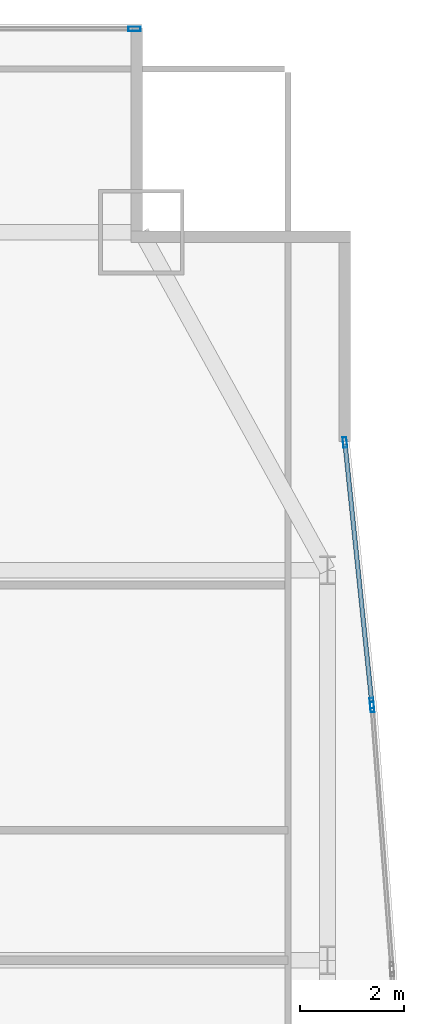
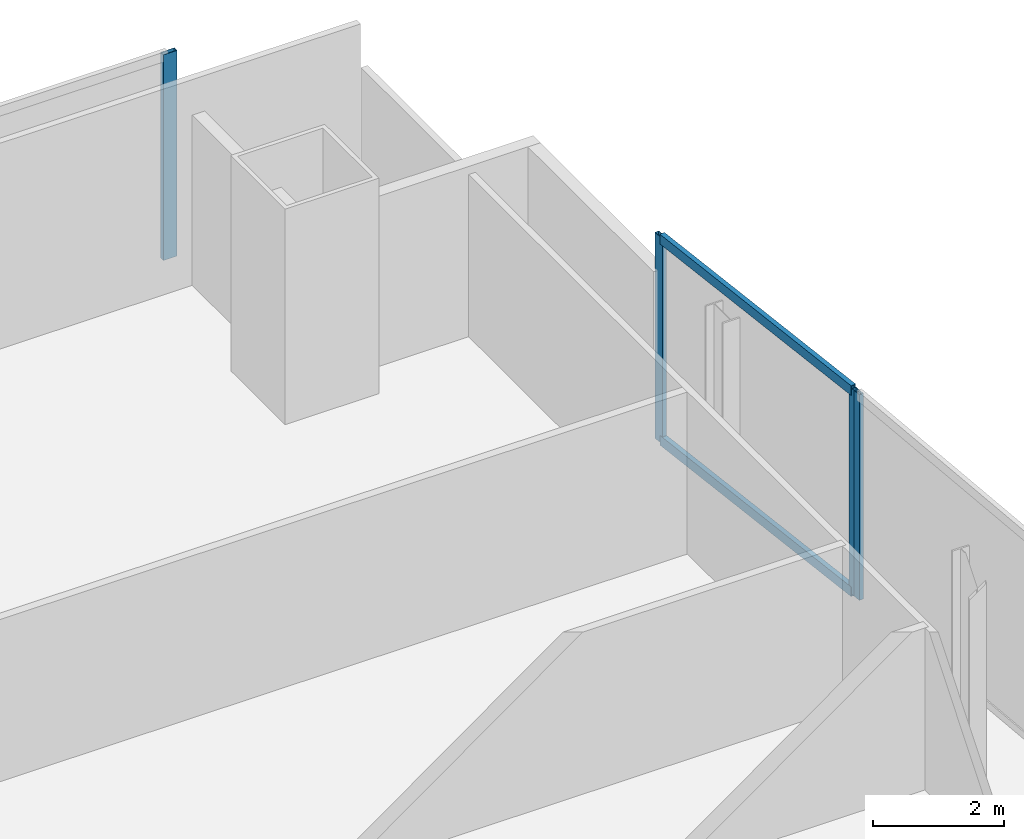
# One storey, part 24 of 32: 6 members, 3 elements without a shape of their own.
"""IFC4 building model written with IfcOpenShell, lengths in metres."""

from ifc_helpers import new_model, si_unit, direction, frame, origin, origin_2d, place, context, subcontext, project, spatial, hollow_rectangle, extrude, material, material_profile, profile_set, type_object, element, aggregate, save


model = new_model("IFC4")

# Units and contexts
model_context = context("Model", 3, precision=1e-05, world=origin(), true_north=direction((0.0, 1.0)))
body_context = subcontext(model_context, "Body", "Model", "MODEL_VIEW")
ifc_project = project(units=[si_unit("LENGTHUNIT", "METRE"), si_unit("AREAUNIT", "SQUARE_METRE"), si_unit("VOLUMEUNIT", "CUBIC_METRE"), si_unit("PLANEANGLEUNIT", "RADIAN"), si_unit("MASSUNIT", "GRAM", prefix="KILO")], contexts=[model_context])

# Site, building, storey
site_placement = place(None, origin())
site = spatial("IfcSite", under=ifc_project, at=site_placement, CompositionType="ELEMENT")
building_placement = place(site_placement, origin())
building = spatial("IfcBuilding", under=site, at=building_placement, Name="Khoronbel Lancet Exchange", CompositionType="ELEMENT")
storey_placement = place(building_placement, frame((0.0, 0.0, 29.800048828125)))
storey = spatial("IfcBuildingStorey", under=building, at=storey_placement, Name="L06", CompositionType="ELEMENT", Elevation=29.800048828125)

# Curtain wall, member
ifc_material_1 = material(Name="Low-E Solar Control Insulating Glass", Category="glass")
curtain_wall_type_1 = type_object("IfcCurtainWallType", Name="CW-1", PredefinedType="NOTDEFINED", material=ifc_material_1)
curtain_wall_1_placement = place(storey_placement, origin())
curtain_wall_1 = element("IfcCurtainWall", 1, at=curtain_wall_1_placement, inside=storey, type_object=curtain_wall_type_1, Name="Unitised curtain wall CW-L06-NEFLK", PredefinedType="NOTDEFINED")
ifc_material_2 = material(Name="Bronze-Anodised Aluminium 6063-T6", Category="aluminium")
ifc_material_profile_1 = material_profile(ifc_material_2, hollow_rectangle(XDim=0.0849609375, YDim=0.239990234375, WallThickness=0.006103515625, at=origin_2d()), Name="ALU MULLION 85x240")
ifc_profile_set_1 = profile_set([ifc_material_profile_1], Name="Bronze-Anodised Aluminium 6063-T6")
member_type_1 = type_object("IfcMemberType", Name="MEM-CWM1", PredefinedType="MULLION", material=ifc_profile_set_1)
member_1_placement = place(storey_placement, frame((67.91748046875, 53.610107421875, 0.0), z_axis=(0.0, 0.0, 1.0), x_axis=(0.0, -1.0, 0.0)))
member_1 = element("IfcMember", 2, at=member_1_placement, type_object=member_type_1, Name="CW1 mullion 1", PredefinedType="MULLION", context=body_context, shape_type="SweptSolid", body=[
    extrude(hollow_rectangle(XDim=0.0849609375, YDim=0.239990234375, WallThickness=0.006103515625, at=origin_2d()), origin(), (0.0, 0.0, 1.0), 3.820068359375),
])
aggregate(curtain_wall_1, [member_1])

# Curtain wall, members
curtain_wall_type_2 = type_object("IfcCurtainWallType", Name="CW-4", PredefinedType="NOTDEFINED", material=ifc_material_1)
curtain_wall_2_placement = place(storey_placement, origin())
curtain_wall_2 = element("IfcCurtainWall", 3, at=curtain_wall_2_placement, inside=storey, type_object=curtain_wall_type_2, Name="Unitised curtain wall CW-L06-E17", PredefinedType="NOTDEFINED")
ifc_material_profile_2 = material_profile(ifc_material_2, hollow_rectangle(XDim=0.074951171875, YDim=0.199951171875, WallThickness=0.0048828125, at=origin_2d()), Name="ALU MULLION 75x200")
ifc_profile_set_2 = profile_set([ifc_material_profile_2], Name="Bronze-Anodised Aluminium 6063-T6")
member_type_2 = type_object("IfcMemberType", Name="MEM-CWM2", PredefinedType="MULLION", material=ifc_profile_set_2)
member_2_placement = place(storey_placement, frame((71.9638671875, 45.658203125, 0.0), z_axis=(0.0, 0.0, 1.0), x_axis=(0.994709998998, 0.102723015403, 0.0)))
member_2 = element("IfcMember", 4, at=member_2_placement, type_object=member_type_2, Name="CW4 mullion 1", PredefinedType="MULLION", context=body_context, shape_type="SweptSolid", body=[
    extrude(hollow_rectangle(XDim=0.074951171875, YDim=0.199951171875, WallThickness=0.0048828125, at=origin_2d()), origin(), (0.0, 0.0, 1.0), 3.820068359375),
])
member_3_placement = place(storey_placement, frame((72.4814453125, 40.64599609375, 0.0), z_axis=(0.0, 0.0, 1.0), x_axis=(0.994709998998, 0.102723015403, 0.0)))
member_3 = element("IfcMember", 5, at=member_3_placement, type_object=member_type_2, Name="CW4 mullion 2", PredefinedType="MULLION", context=body_context, shape_type="SweptSolid", body=[
    extrude(hollow_rectangle(XDim=0.074951171875, YDim=0.199951171875, WallThickness=0.0048828125, at=origin_2d()), origin(), (0.0, 0.0, 1.0), 3.820068359375),
])

# Curtain wall, member
curtain_wall_3_placement = place(storey_placement, origin())
curtain_wall_3 = element("IfcCurtainWall", 6, at=curtain_wall_3_placement, inside=storey, type_object=curtain_wall_type_2, Name="Unitised curtain wall CW-L06-E18", PredefinedType="NOTDEFINED")
member_4_placement = place(storey_placement, frame((72.488037109375, 40.5712890625, 0.0), z_axis=(0.0, 0.0, 1.0), x_axis=(0.997153744129, 0.075395030141, 0.0)))
member_4 = element("IfcMember", 7, at=member_4_placement, type_object=member_type_2, Name="CW4 mullion 1", PredefinedType="MULLION", context=body_context, shape_type="SweptSolid", body=[
    extrude(hollow_rectangle(XDim=0.074951171875, YDim=0.199951171875, WallThickness=0.0048828125, at=origin_2d()), origin(), (0.0, 0.0, 1.0), 3.820068359375),
])
aggregate(curtain_wall_3, [member_4])

# Member
ifc_material_profile_3 = material_profile(ifc_material_2, hollow_rectangle(XDim=0.0849609375, YDim=0.179931640625, WallThickness=0.0048828125, at=origin_2d()), Name="ALU TRANSOM 85x180")
ifc_profile_set_3 = profile_set([ifc_material_profile_3], Name="Bronze-Anodised Aluminium 6063-T6")
member_type_3 = type_object("IfcMemberType", Name="MEM-CWT1", PredefinedType="USERDEFINED", material=ifc_profile_set_3)
member_5_placement = place(storey_placement, frame((71.9677734375, 45.620849609375, 0.04248046875), z_axis=(0.102697780779, -0.994712604637, 0.0), x_axis=(0.994712604637, 0.102697780779, 0.0)))
member_5 = element("IfcMember", 8, at=member_5_placement, type_object=member_type_3, Name="CW4 transom 1.1", ObjectType="TRANSOM", PredefinedType="USERDEFINED", context=body_context, shape_type="SweptSolid", body=[
    extrude(hollow_rectangle(XDim=0.0849609375, YDim=0.179931640625, WallThickness=0.0048828125, at=origin_2d()), origin(), (0.0, 0.0, 1.0), 4.9638671875),
])

member_6_placement = place(storey_placement, frame((71.9677734375, 45.620849609375, 3.77734375), z_axis=(0.102697780779, -0.994712604637, 0.0), x_axis=(0.994712604637, 0.102697780779, 0.0)))
member_6 = element("IfcMember", 9, at=member_6_placement, type_object=member_type_3, Name="CW4 transom 1.2", ObjectType="TRANSOM", PredefinedType="USERDEFINED", context=body_context, shape_type="SweptSolid", body=[
    extrude(hollow_rectangle(XDim=0.0849609375, YDim=0.179931640625, WallThickness=0.0048828125, at=origin_2d()), origin(), (0.0, 0.0, 1.0), 4.9638671875),
])

aggregate(curtain_wall_2, [member_2, member_3, member_5, member_6])

save(model, "model.ifc")
